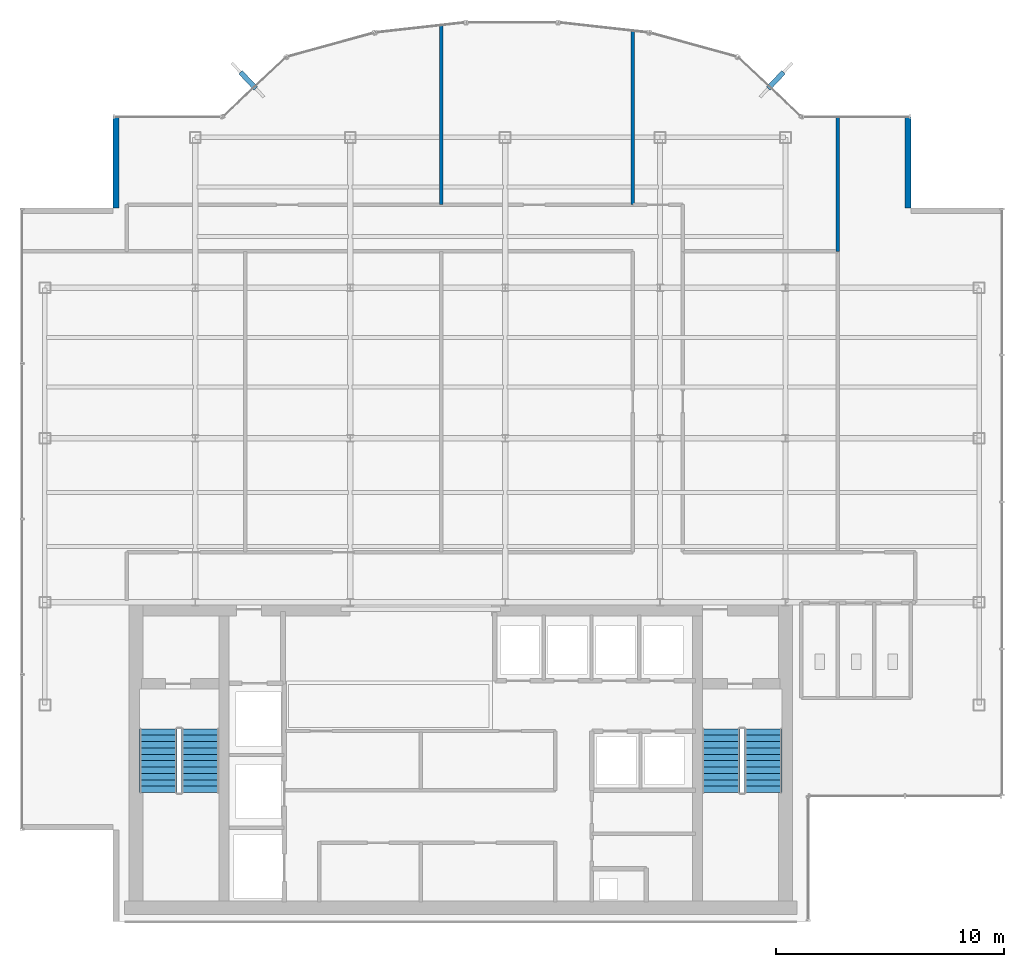
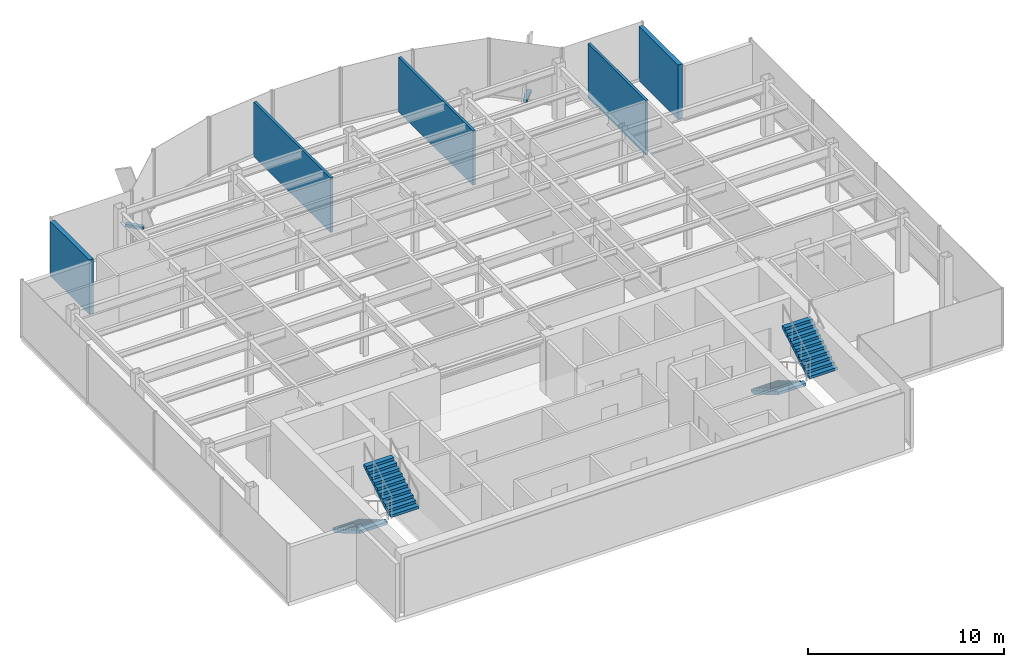
# One storey, part 19 of 22: 5 walls, 4 stair flights, 2 discrete accessories, 2 elements without a shape of their own.
"""IFC4 building model written with IfcOpenShell, lengths in metres."""

from ifc_helpers import new_model, si_unit, derived_unit, direction, frame, frame_2d, origin, origin_2d, place, context, subcontext, project, spatial, polyline, rectangle, outline, extrude, source, transform, mapped, material, layer, layer_set, type_object, element, aggregate, save


model = new_model("IFC4")

# Units and contexts
model_context = context("Model", 3, precision=1e-05, world=origin(), true_north=direction((0.0, 1.0)))
body_context = subcontext(model_context, "Body", "Model", "MODEL_VIEW")
ifc_project = project(units=[si_unit("LENGTHUNIT", "METRE"), si_unit("AREAUNIT", "SQUARE_METRE"), si_unit("VOLUMEUNIT", "CUBIC_METRE"), si_unit("PLANEANGLEUNIT", "RADIAN"), si_unit("MASSUNIT", "GRAM", prefix="KILO"), derived_unit("THERMALTRANSMITTANCEUNIT", [(si_unit("POWERUNIT", "WATT"), 1), (si_unit("LENGTHUNIT", "METRE"), -2), (si_unit("THERMODYNAMICTEMPERATUREUNIT", "KELVIN"), -1)])], contexts=[model_context])

# Site, building, storey
site_placement = place(None, origin())
site = spatial("IfcSite", under=ifc_project, at=site_placement, CompositionType="ELEMENT")
building_placement = place(site_placement, origin())
building = spatial("IfcBuilding", under=site, at=building_placement, Name="Skarnbrae Concourse Arena and Tower", CompositionType="ELEMENT")
storey_placement = place(building_placement, frame((0.0, 0.0, 203.199951171875)))
storey = spatial("IfcBuildingStorey", under=building, at=storey_placement, Name="L52", CompositionType="ELEMENT", Elevation=203.199951171875)

# Walls
ifc_material_1 = material(Name="Precast concrete 40 MPa (C40/50)", Category="concrete")
ifc_layer_1 = layer(ifc_material_1, 0.25)
ifc_layer_set_1 = layer_set([ifc_layer_1], Name="Precast concrete 40 MPa (C40/50)")
wall_type_1 = type_object("IfcWallType", Name="WALL-EXT-SPANDREL-250", PredefinedType="STANDARD", material=ifc_layer_set_1)
shared_shape_1 = source(origin(), body_context, "Body", "SweptSolid", [
    extrude(rectangle(XDim=4.0, YDim=0.25, at=frame_2d((2.0, 0.0))), origin(), (0.0, 0.0, 1.0), 3.400146484375),
])
for number, where, z_axis, x_axis, name in (
    (1, (38.875, 31.300048828125, 0.0), (0.0, 0.0, 1.0), (0.0, 1.0, 0.0), "L52 Notched corner insulated return wall 06"),
    (2, (4.125, 35.300048828125, 0.0), (0.0, 0.0, 1.0), (0.0, -1.0, 0.0), "L52 Notched corner insulated return wall 16"),
):
    element("IfcWall", number, at=place(storey_placement, frame(where, z_axis=z_axis, x_axis=x_axis)), inside=storey, type_object=wall_type_1, Name=name, PredefinedType="STANDARD", context=body_context, shape_type="MappedRepresentation", body=[
        mapped(shared_shape_1, transform((0.0, 0.0, 0.0))),
    ])
ifc_material_2 = material(Name="Gypsum board on cold-formed steel studs", Category="steel")
ifc_layer_2 = layer(ifc_material_2, 0.14990234375)
ifc_layer_set_2 = layer_set([ifc_layer_2], Name="Gypsum board on cold-formed steel studs")
wall_type_2 = type_object("IfcWallType", Name="WALL-PART-150", PredefinedType="PARTITIONING", material=ifc_layer_set_2)
shared_shape_2 = source(origin(), body_context, "Body", "SweptSolid", [
    extrude(rectangle(XDim=7.855224609375, YDim=0.14990234375, at=frame_2d((3.927734375, 0.0))), origin(), (0.0, 0.0, 1.0), 3.400146484375),
])
wall_1_placement = place(storey_placement, frame((18.39990234375, 39.30517578125, 0.0), z_axis=(0.0, 0.0, 1.0), x_axis=(0.0, -1.0, 0.0)))
element("IfcWall", 3, at=wall_1_placement, inside=storey, type_object=wall_type_2, Name="L52 Interior partition wall W-L52-DEM-16", PredefinedType="PARTITIONING", context=body_context, shape_type="MappedRepresentation", body=[
    mapped(shared_shape_2, transform((0.0, 0.0, 0.0))),
])
shared_shape_3 = source(origin(), body_context, "Body", "SweptSolid", [
    extrude(rectangle(XDim=7.6083984375, YDim=0.14990234375, at=frame_2d((3.80419921875, 0.0))), origin(), (0.0, 0.0, 1.0), 3.400146484375),
])
wall_2_placement = place(storey_placement, frame((26.800048828125, 39.058349609375, 0.0), z_axis=(0.0, 0.0, 1.0), x_axis=(0.0, -1.0, 0.0)))
element("IfcWall", 4, at=wall_2_placement, inside=storey, type_object=wall_type_2, Name="L52 Interior partition wall W-L52-DEM-17", PredefinedType="PARTITIONING", context=body_context, shape_type="MappedRepresentation", body=[
    mapped(shared_shape_3, transform((0.0, 0.0, 0.0))),
])
shared_shape_4 = source(origin(), body_context, "Body", "SweptSolid", [
    extrude(rectangle(XDim=5.880126953125, YDim=0.14990234375, at=frame_2d((2.93994140625, 0.0))), origin(), (0.0, 0.0, 1.0), 3.400146484375),
])
wall_3_placement = place(storey_placement, frame((35.800048828125, 35.280029296875, 0.0), z_axis=(0.0, 0.0, 1.0), x_axis=(0.0, -1.0, 0.0)))
element("IfcWall", 5, at=wall_3_placement, inside=storey, type_object=wall_type_2, Name="L52 Interior partition wall W-L52-DEM-20", PredefinedType="PARTITIONING", context=body_context, shape_type="MappedRepresentation", body=[
    mapped(shared_shape_4, transform((0.0, 0.0, 0.0))),
])

# Stair, stair flights
ifc_material_3 = material(Name="Concrete 40 MPa (C40/50)", Category="concrete")
stair_type = type_object("IfcStairType", Name="STAIR-DOGLEG-1650", PredefinedType="HALF_TURN_STAIR", material=ifc_material_3)
stair_1_placement = place(storey_placement, origin())
stair_1 = element("IfcStair", 6, at=stair_1_placement, inside=storey, type_object=stair_type, Name="L52 Protected Exit Stair ST-1", PredefinedType="HALF_TURN_STAIR")
stair_flight_type = type_object("IfcStairFlightType", Name="FLIGHT-STRAIGHT-1650", PredefinedType="STRAIGHT", material=ifc_material_3)
shared_shape_5 = source(origin(), body_context, "Body", "SweptSolid", [
    extrude(outline(polyline([(0.0, 0.0), (0.0, 0.166015625), (0.280029296875, 0.166015625), (0.280029296875, 0.331787109375), (0.56005859375, 0.331787109375), (0.56005859375, 0.497802734375), (0.840087890625, 0.497802734375), (0.840087890625, 0.66357421875), (1.1201171875, 0.66357421875), (1.1201171875, 0.82958984375), (1.39990234375, 0.82958984375), (1.39990234375, 0.995361328125), (1.679931640625, 0.995361328125), (1.679931640625, 1.161376953125), (1.9599609375, 1.161376953125), (1.9599609375, 1.327392578125), (2.239990234375, 1.327392578125), (2.239990234375, 1.4931640625), (2.52001953125, 1.4931640625), (2.52001953125, 1.6591796875), (2.800048828125, 1.6591796875), (2.800048828125, 1.824951171875), (2.800048828125, 1.48486328125), (0.2939453125, 0.0), (0.0, 0.0)])), frame((0.0, 0.824951171875, 0.0), z_axis=(0.0, -1.0, 0.0), x_axis=(1.0, 0.0, 0.0)), (0.0, 0.0, 1.0), 1.64990234375),
])
stair_flight_1_placement = place(storey_placement, frame((5.97509765625, 8.449951171875, 0.0), z_axis=(0.0, 0.0, 1.0), x_axis=(0.0, -1.0, 0.0)))
stair_flight_1 = element("IfcStairFlight", 7, at=stair_flight_1_placement, type_object=stair_flight_type, Name="ST-1 flight 1", NumberOfRisers=11, NumberOfTreads=10, PredefinedType="STRAIGHT", RiserHeight=0.165909091, TreadLength=0.28, context=body_context, shape_type="MappedRepresentation", body=[
    mapped(shared_shape_5, transform((0.0, 0.0, 0.0))),
])
stair_flight_2_placement = place(storey_placement, frame((7.824951171875, 5.64990234375, 1.824951171875), z_axis=(0.0, 0.0, 1.0), x_axis=(0.0, 1.0, 0.0)))
stair_flight_2 = element("IfcStairFlight", 8, at=stair_flight_2_placement, type_object=stair_flight_type, Name="ST-1 flight 2", NumberOfRisers=11, NumberOfTreads=10, PredefinedType="STRAIGHT", RiserHeight=0.165909091, TreadLength=0.28, context=body_context, shape_type="MappedRepresentation", body=[
    mapped(shared_shape_5, transform((0.0, 0.0, 0.0))),
])
aggregate(stair_1, [stair_flight_1, stair_flight_2])

stair_2_placement = place(storey_placement, origin())
stair_2 = element("IfcStair", 9, at=stair_2_placement, inside=storey, type_object=stair_type, Name="L52 Protected Exit Stair ST-2", PredefinedType="HALF_TURN_STAIR")
stair_flight_3_placement = place(storey_placement, frame((30.675048828125, 8.449951171875, 0.0), z_axis=(0.0, 0.0, 1.0), x_axis=(0.0, -1.0, 0.0)))
stair_flight_3 = element("IfcStairFlight", 10, at=stair_flight_3_placement, type_object=stair_flight_type, Name="ST-2 flight 1", NumberOfRisers=11, NumberOfTreads=10, PredefinedType="STRAIGHT", RiserHeight=0.165909091, TreadLength=0.28, context=body_context, shape_type="MappedRepresentation", body=[
    mapped(shared_shape_5, transform((0.0, 0.0, 0.0))),
])
stair_flight_4_placement = place(storey_placement, frame((32.52490234375, 5.64990234375, 1.824951171875), z_axis=(0.0, 0.0, 1.0), x_axis=(0.0, 1.0, 0.0)))
stair_flight_4 = element("IfcStairFlight", 11, at=stair_flight_4_placement, type_object=stair_flight_type, Name="ST-2 flight 2", NumberOfRisers=11, NumberOfTreads=10, PredefinedType="STRAIGHT", RiserHeight=0.165909091, TreadLength=0.28, context=body_context, shape_type="MappedRepresentation", body=[
    mapped(shared_shape_5, transform((0.0, 0.0, 0.0))),
])
aggregate(stair_2, [stair_flight_3, stair_flight_4])

# Discrete accessories
ifc_material_4 = material(Name="Bronze anodised aluminium 6063-T6", Category="aluminium")
discrete_accessory_type = type_object("IfcDiscreteAccessoryType", Name="ACC-FIN-BRACKET", PredefinedType="BRACKET", material=ifc_material_4)
shared_shape_6 = source(origin(), body_context, "Body", "SweptSolid", [
    extrude(rectangle(XDim=0.219970703125, YDim=0.97998046875, at=origin_2d()), origin(), (0.0, 0.0, 1.0), 0.179931640625),
])
for number, where, z_axis, x_axis, name in (
    (12, (33.0791015625, 36.904541015625, -0.02978515625), (0.0, 0.0, 1.0), (0.728131751529, -0.685437198009, 0.0), "L52 Bronze fin foot support bracket 08"),
    (13, (9.9208984375, 36.904541015625, -0.02978515625), (0.0, 0.0, 1.0), (0.728131751529, 0.685437198009, 0.0), "L52 Bronze fin foot support bracket 14"),
):
    element("IfcDiscreteAccessory", number, at=place(storey_placement, frame(where, z_axis=z_axis, x_axis=x_axis)), inside=storey, type_object=discrete_accessory_type, Name=name, PredefinedType="BRACKET", context=body_context, shape_type="MappedRepresentation", body=[
        mapped(shared_shape_6, transform((0.0, 0.0, 0.0))),
    ])

save(model, "model.ifc")
